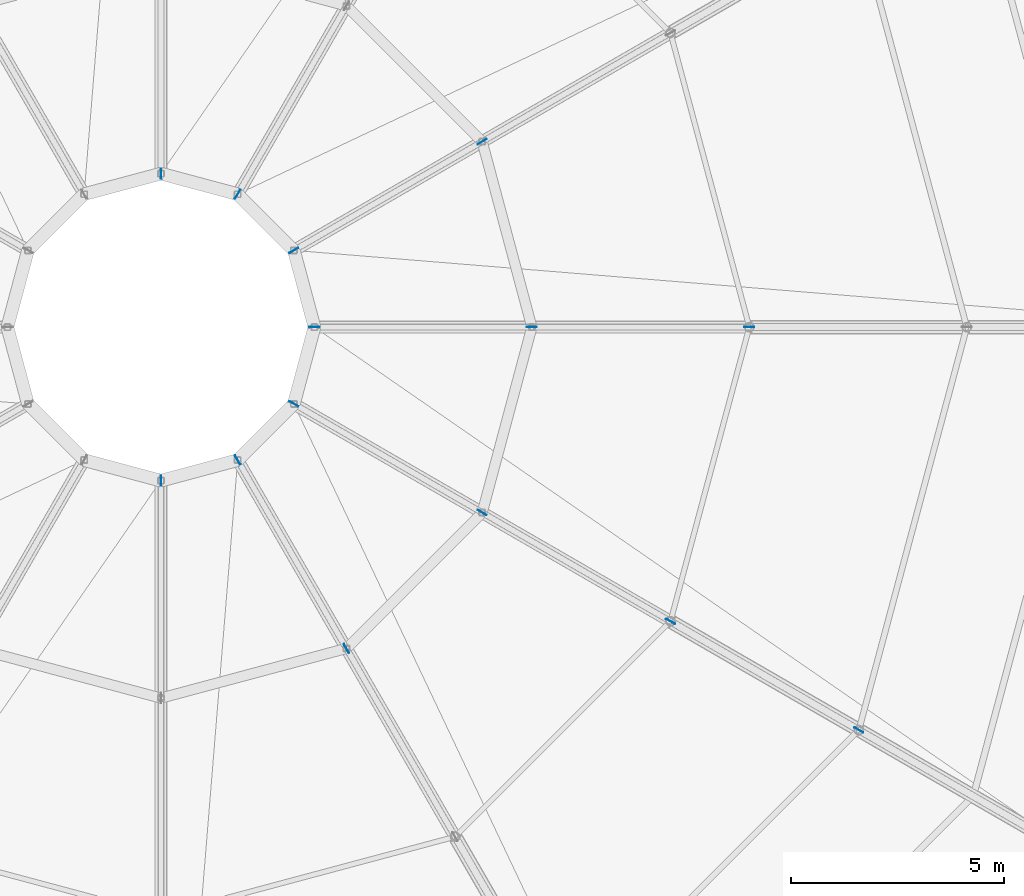
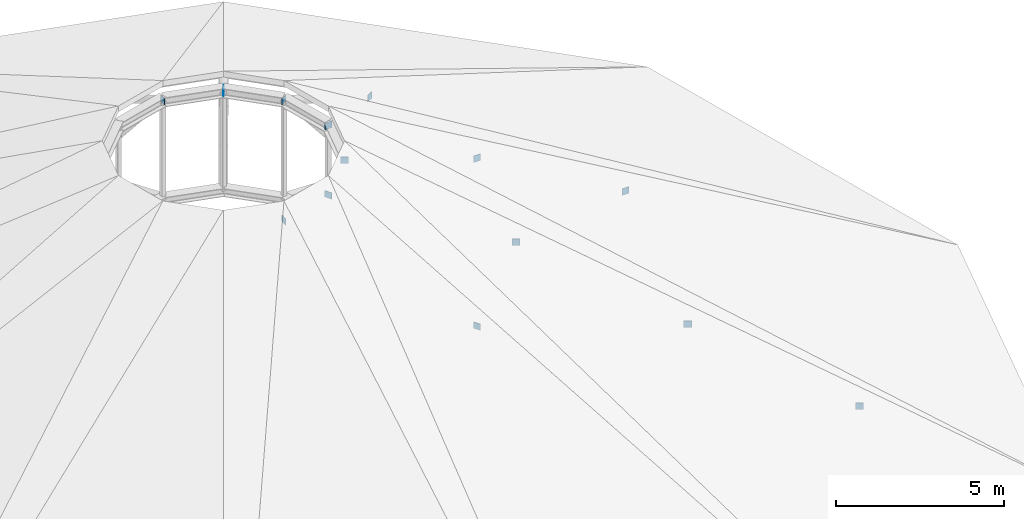
# One storey, part 42 of 58: 14 plates.
"""IFC4 building model written with IfcOpenShell, lengths in metres."""

import ifcopenshell
import ifcopenshell.guid

model = None  # the IFC model being written
_history = None  # IfcOwnerHistory: only IFC2X3 demands one
_inside = {}  # id of a spatial element -> (the spatial element, [elements in it])
_under = {}  # id of a project, library or spatial element -> (it, [spatial elements below it])
_declared = {}  # id of a project -> (the project, [libraries it declares])
_typed = {}  # id of a type object -> (the type object, [elements of that type])
_made_of = {}  # id of a material, layer set ... -> (it, [elements and type objects made of it])


def new_model(schema):
    """Start an empty IFC model of exactly this schema.

    Asked for "IFC4X3", IfcOpenShell would pick the latest addendum, in which some entities
    have other attributes; the version numbers below select the first issue.
    IFC2X3 requires an IfcOwnerHistory on every rooted entity: one is made here for all.
    """
    global model, _history
    if schema == "IFC4X3":
        model = ifcopenshell.file(schema_version=(4, 3, 0, 0))
    else:
        model = ifcopenshell.file(schema=schema)
    _inside.clear()
    _under.clear()
    _declared.clear()
    _typed.clear()
    _made_of.clear()
    _history = None
    if model.schema == "IFC2X3":
        org = make("IfcOrganization", Name="unknown")
        user = make(
            "IfcPersonAndOrganization",
            ThePerson=make("IfcPerson", FamilyName="unknown"),
            TheOrganization=org,
        )
        app = make(
            "IfcApplication",
            ApplicationDeveloper=org,
            Version="unknown",
            ApplicationFullName="unknown",
            ApplicationIdentifier="unknown",
        )
        _history = make(
            "IfcOwnerHistory",
            OwningUser=user,
            OwningApplication=app,
            ChangeAction="ADDED",
            CreationDate=0,
        )
    return model


def make(cls, **values):
    """One entity of the class cls with the attributes given. An attribute that is None is left unset."""
    return model.create_entity(
        cls, **{name: value for name, value in values.items() if value is not None}
    )


def rooted(cls, **values):
    """An entity with a GlobalId (a new one), such as an element, a storey or a relation."""
    return make(cls, GlobalId=ifcopenshell.guid.new(), OwnerHistory=_history, **values)


def si_unit(unit_type, name, prefix=None):
    """IfcSIUnit, for example si_unit("LENGTHUNIT", "METRE", prefix="MILLI")."""
    return make("IfcSIUnit", UnitType=unit_type, Prefix=prefix, Name=name)


def derived_unit(unit_type, elements):
    """IfcDerivedUnit: a product of units, each with its exponent."""
    return make(
        "IfcDerivedUnit",
        Elements=[
            make("IfcDerivedUnitElement", Unit=unit, Exponent=power)
            for unit, power in elements
        ],
        UnitType=unit_type,
    )


def assignment(units):
    """IfcUnitAssignment: the units of a project."""
    return None if units is None else make("IfcUnitAssignment", Units=units)


def point(xyz):
    """IfcCartesianPoint."""
    return None if xyz is None else make("IfcCartesianPoint", Coordinates=xyz)


def direction(xyz):
    """IfcDirection."""
    return None if xyz is None else make("IfcDirection", DirectionRatios=xyz)


def frame(location, z_axis=None, x_axis=None):
    """IfcAxis2Placement3D, a coordinate frame: its origin and axes. An axis left out is left unset."""
    return make(
        "IfcAxis2Placement3D",
        Location=point(location),
        Axis=direction(z_axis),
        RefDirection=direction(x_axis),
    )


def frame_2d(location, x_axis=None):
    """IfcAxis2Placement2D, a coordinate frame in the plane: its origin and x axis."""
    return make(
        "IfcAxis2Placement2D", Location=point(location), RefDirection=direction(x_axis)
    )


def origin():
    """The frame at (0, 0, 0) with its axes left unset."""
    return frame((0.0, 0.0, 0.0))


def origin_2d():
    """The frame at (0, 0) in the plane with its x axis left unset."""
    return frame_2d((0.0, 0.0))


def place(relative_to, where):
    """IfcLocalPlacement: puts the frame where relative to a parent placement (None: the world)."""
    return make(
        "IfcLocalPlacement", PlacementRelTo=relative_to, RelativePlacement=where
    )


def context(
    kind, dimensions, precision=None, world=None, true_north=None, identifier=None
):
    """IfcGeometricRepresentationContext, for example the 3D "Model" context."""
    return make(
        "IfcGeometricRepresentationContext",
        ContextIdentifier=identifier,
        ContextType=kind,
        CoordinateSpaceDimension=dimensions,
        Precision=precision,
        WorldCoordinateSystem=world,
        TrueNorth=true_north,
    )


def subcontext(parent, identifier, kind, view, scale=None):
    """IfcGeometricRepresentationSubContext, for example "Body" below "Model"."""
    return make(
        "IfcGeometricRepresentationSubContext",
        ContextIdentifier=identifier,
        ContextType=kind,
        ParentContext=parent,
        TargetScale=scale,
        TargetView=view,
    )


def project(units=None, contexts=None):
    """IfcProject with its units and contexts."""
    return rooted(
        "IfcProject",
        Name="project",
        RepresentationContexts=contexts,
        UnitsInContext=assignment(units),
    )


def spatial(cls, under=None, at=None, **own):
    """A site, building, storey or space (cls), placed at a placement, below another one or the project."""
    s = rooted(cls, ObjectPlacement=at, **own)
    if under is not None:
        _under.setdefault(under.id(), (under, []))[1].append(s)
    return s


def profile(cls, at=None, kind="AREA", **sizes):
    """A parametric profile (cls). Its sizes go by their IFC names, for example OverallWidth=200.0."""
    return make(cls, ProfileType=kind, Position=at, **sizes)


def rectangle(**sizes):
    """IfcRectangleProfileDef."""
    return profile("IfcRectangleProfileDef", **sizes)


def extrude(swept, where, along, depth):
    """IfcExtrudedAreaSolid: the profile swept, set in the frame where, extruded along a direction by depth."""
    return make(
        "IfcExtrudedAreaSolid",
        SweptArea=swept,
        Position=where,
        ExtrudedDirection=direction(along),
        Depth=depth,
    )


def shape(context_of_items, identifier, shape_type, items):
    """IfcShapeRepresentation: the items that make up one representation, for example the "Body"."""
    return make(
        "IfcShapeRepresentation",
        ContextOfItems=context_of_items,
        RepresentationIdentifier=identifier,
        RepresentationType=shape_type,
        Items=items,
    )


def material(Name=None, Category=None):
    """IfcMaterial."""
    return make("IfcMaterial", Name=Name, Category=Category)


def layer(
    of_material, thickness, ventilated=None, Name=None, Category=None, Priority=None
):
    """IfcMaterialLayer: one layer of a wall or slab, of a material (None: an air gap)."""
    return make(
        "IfcMaterialLayer",
        Material=of_material,
        LayerThickness=thickness,
        IsVentilated=ventilated,
        Name=Name,
        Category=Category,
        Priority=Priority,
    )


def layer_set(layers, Name=None):
    """IfcMaterialLayerSet."""
    return make("IfcMaterialLayerSet", MaterialLayers=layers, LayerSetName=Name)


def made_of(thing, what):
    """Note that an element or type object is made of a material, layer set ...; save() writes the relation."""
    if what is not None:
        _made_of.setdefault(what.id(), (what, []))[1].append(thing)
    return thing


def type_object(cls, material=None, **own):
    """A type object (cls), such as IfcWallType, which elements share."""
    return made_of(rooted(cls, **own), material)


def element(
    cls,
    number,
    at=None,
    inside=None,
    cuts=None,
    type_object=None,
    material=None,
    context=None,
    identifier="Body",
    shape_type=None,
    held_by="IfcProductDefinitionShape",
    body=None,
    shapes=None,
    **own,
):
    """One element of the class cls, such as IfcWall. Its Tag is "e" and its number.

    at: its placement. inside: the storey or other place that contains it. cuts: it is an
    opening in that element (IfcRelVoidsElement). A single representation is given by context,
    identifier, shape_type and body (its items); several are given by shapes. held_by: the class
    of the entity that holds the representations. save() writes the other relations.
    """
    e = rooted(cls, Tag="e%d" % number, ObjectPlacement=at, **own)
    if body is not None:
        shapes = [shape(context, identifier, shape_type, body)]
    if shapes is not None:
        e.Representation = make(held_by, Representations=shapes)
    if inside is not None:
        _inside.setdefault(inside.id(), (inside, []))[1].append(e)
    if cuts is not None:
        rooted(
            "IfcRelVoidsElement", RelatingBuildingElement=cuts, RelatedOpeningElement=e
        )
    if type_object is not None:
        _typed.setdefault(type_object.id(), (type_object, []))[1].append(e)
    return made_of(e, material)


def aggregate(whole, parts):
    """IfcRelAggregates: a whole, such as a stair, and the parts it consists of."""
    return rooted("IfcRelAggregates", RelatingObject=whole, RelatedObjects=parts)


def save(model, path):
    """Write the relations noted so far, then the file.

    IfcRelAggregates (storeys below a building ...), IfcRelContainedInSpatialStructure (elements
    in a storey), IfcRelDefinesByType, IfcRelAssociatesMaterial and IfcRelDeclares: one each for
    every whole, place, type object, material and project.
    """
    for whole, parts in _under.values():
        aggregate(whole, parts)
    for where, things in _inside.values():
        rooted(
            "IfcRelContainedInSpatialStructure",
            RelatedElements=things,
            RelatingStructure=where,
        )
    for kind, things in _typed.values():
        rooted("IfcRelDefinesByType", RelatedObjects=things, RelatingType=kind)
    for what, things in _made_of.values():
        rooted("IfcRelAssociatesMaterial", RelatedObjects=things, RelatingMaterial=what)
    for by, libraries in _declared.values():
        rooted("IfcRelDeclares", RelatingContext=by, RelatedDefinitions=libraries)
    model.write(path)


model = new_model("IFC4")

# Units and contexts
model_context = context("Model", 3, precision=1e-05, world=origin(), true_north=direction((0.0, 1.0)))
body_context = subcontext(model_context, "Body", "Model", "MODEL_VIEW")
ifc_project = project(units=[si_unit("LENGTHUNIT", "METRE"), si_unit("AREAUNIT", "SQUARE_METRE"), si_unit("VOLUMEUNIT", "CUBIC_METRE"), si_unit("PLANEANGLEUNIT", "RADIAN"), si_unit("MASSUNIT", "GRAM", prefix="KILO"), derived_unit("THERMALTRANSMITTANCEUNIT", [(si_unit("POWERUNIT", "WATT"), 1), (si_unit("AREAUNIT", "SQUARE_METRE"), -1), (si_unit("THERMODYNAMICTEMPERATUREUNIT", "KELVIN"), -1)])], contexts=[model_context])

# Site, building, storey
site_placement = place(None, origin())
site = spatial("IfcSite", under=ifc_project, at=site_placement, CompositionType="ELEMENT")
building_placement = place(site_placement, origin())
building = spatial("IfcBuilding", under=site, at=building_placement, Name="Yasenodar Specialist Clinic", CompositionType="ELEMENT")
storey_placement = place(building_placement, frame((0.0, 0.0, 21.300048828125)))
storey = spatial("IfcBuildingStorey", under=building, at=storey_placement, Name="L05", CompositionType="ELEMENT", Elevation=21.300048828125)

# Plates
ifc_material = material(Name="Steel S355", Category="steel")
ifc_layer = layer(ifc_material, 0.01611328125)
ifc_layer_set = layer_set([ifc_layer], Name="Steel S355")
plate_type = type_object("IfcPlateType", Name="PL-STEEL-05", PredefinedType="USERDEFINED", material=ifc_layer_set)
for number, where, z_axis, x_axis, name in (
    (1, (94.800048828125, 58.800048828125, 5.830078125), (0.0, 0.0, 1.0), (1.0, 0.0, 0.0), "L05 Hollow Section End-Cap Plate 0045"),
    (2, (89.699951171875, 58.800048828125, 8.80517578125), (0.0, 0.0, 1.0), (1.0, 0.0, 0.0), "L05 Hollow Section End-Cap Plate 0046"),
    (3, (84.60009765625, 58.800048828125, 11.77978515625), (0.0, 0.0, 1.0), (1.0, 0.0, 0.0), "L05 Hollow Section End-Cap Plate 0047"),
    (4, (88.534423828125, 63.14990234375, 8.80517578125), (0.0, 0.0, 1.0), (0.866025403784, 0.5, 0.0), "L05 Hollow Section End-Cap Plate 0051"),
    (5, (84.11767578125, 60.60009765625, 11.77978515625), (0.0, 0.0, 1.0), (0.866025403784, 0.5, 0.0), "L05 Hollow Section End-Cap Plate 0052"),
    (6, (82.800048828125, 61.917724609375, 11.77978515625), (0.0, 0.0, 1.0), (0.5, 0.866025403784, 0.0), "L05 Hollow Section End-Cap Plate 0057"),
    (7, (81.0, 62.39990234375, 11.77978515625), (0.0, 0.0, 1.0), (0.0, 1.0, 0.0), "L05 Hollow Section End-Cap Plate 0062"),
    (8, (81.0, 55.199951171875, 11.77978515625), (0.0, 0.0, 1.0), (0.0, -1.0, 0.0), "L05 Hollow Section End-Cap Plate 0092"),
    (9, (85.35009765625, 51.265625, 8.80517578125), (0.0, 0.0, 1.0), (0.5, -0.866025403784, 0.0), "L05 Hollow Section End-Cap Plate 0096"),
    (10, (82.800048828125, 55.682373046875, 11.77978515625), (0.0, 0.0, 1.0), (0.5, -0.866025403784, 0.0), "L05 Hollow Section End-Cap Plate 0097"),
    (11, (97.367919921875, 49.35009765625, 2.85498046875), (0.0, 0.0, 1.0), (0.866025403784, -0.5, 0.0), "L05 Hollow Section End-Cap Plate 0099"),
    (12, (92.951171875, 51.89990234375, 5.830078125), (0.0, 0.0, 1.0), (0.866025403784, -0.5, 0.0), "L05 Hollow Section End-Cap Plate 0100"),
    (13, (88.534423828125, 54.449951171875, 8.80517578125), (0.0, 0.0, 1.0), (0.866025403784, -0.5, 0.0), "L05 Hollow Section End-Cap Plate 0101"),
    (14, (84.11767578125, 57.0, 11.77978515625), (0.0, 0.0, 1.0), (0.866025403784, -0.5, 0.0), "L05 Hollow Section End-Cap Plate 0102"),
):
    element("IfcPlate", number, at=place(storey_placement, frame(where, z_axis=z_axis, x_axis=x_axis)), inside=storey, type_object=plate_type, Name=name, ObjectType="CAP_PLATE", PredefinedType="USERDEFINED", context=body_context, shape_type="SweptSolid", body=[
        extrude(rectangle(XDim=0.239990234375, YDim=0.01611328125, at=origin_2d()), origin(), (0.0, 0.0, 1.0), 0.239990234375),
    ])

save(model, "model.ifc")
